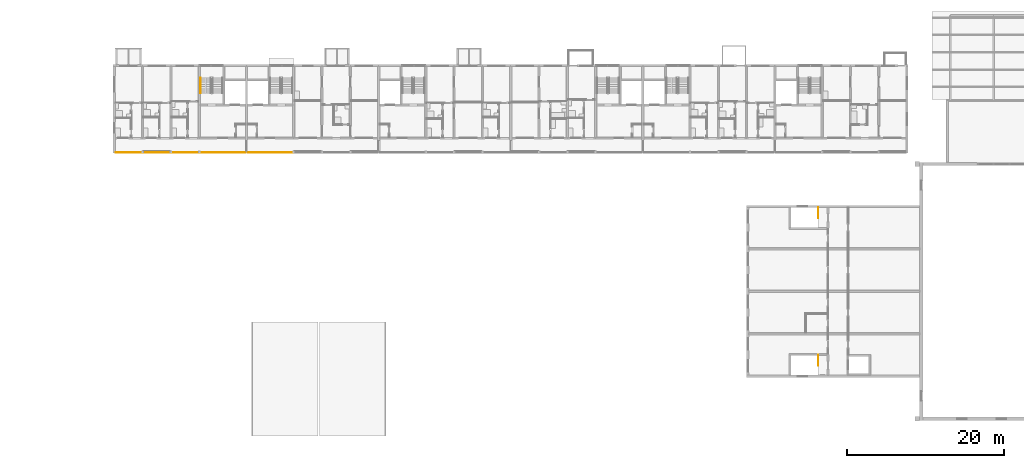
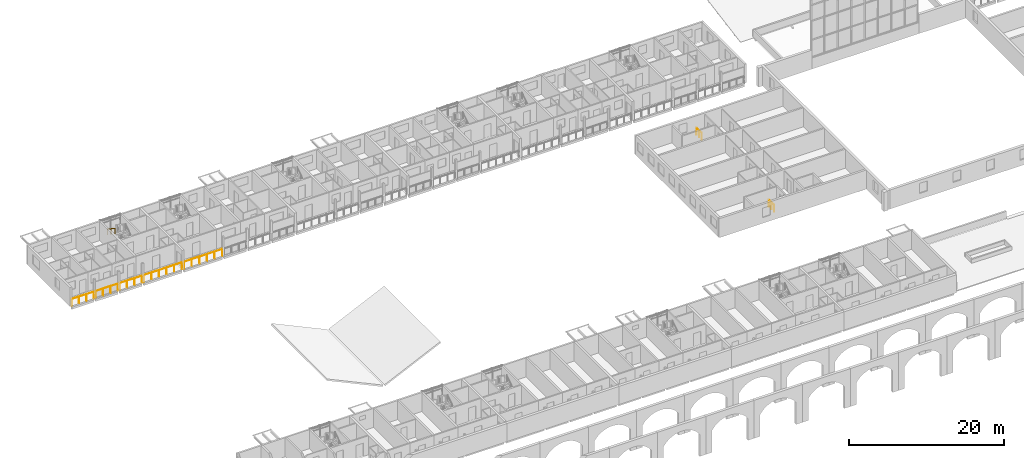
# One storey, part 106 of 122: 8 railings.
"""IFC4 building model written with IfcOpenShell, lengths in metres."""

from ifc_helpers import new_model, si_unit, direction, frame, origin, origin_2d, place, context, subcontext, project, spatial, circle, extrude, material, type_object, element, save


model = new_model("IFC4")

# Units and contexts
model_context = context("Model", 3, precision=1e-05, world=origin(), true_north=direction((0.0, 1.0)))
body_context = subcontext(model_context, "Body", "Model", "MODEL_VIEW")
ifc_project = project(units=[si_unit("LENGTHUNIT", "METRE"), si_unit("AREAUNIT", "SQUARE_METRE"), si_unit("VOLUMEUNIT", "CUBIC_METRE"), si_unit("PLANEANGLEUNIT", "RADIAN"), si_unit("MASSUNIT", "GRAM", prefix="KILO")], contexts=[model_context])

# Site, building, storey
site_placement = place(None, origin())
site = spatial("IfcSite", under=ifc_project, at=site_placement, CompositionType="ELEMENT")
building_placement = place(site_placement, origin())
building = spatial("IfcBuilding", under=site, at=building_placement, Name="Ridgestep Commons", CompositionType="ELEMENT")
storey_placement = place(building_placement, frame((0.0, 0.0, 3.0)))
storey = spatial("IfcBuildingStorey", under=building, at=storey_placement, Name="L01", CompositionType="ELEMENT", Elevation=3.0)

# Railings
ifc_material_1 = material(Name="Structural steel S355JR", Category="steel")
railing_type_1 = type_object("IfcRailingType", Name="Community stair guard 1100", PredefinedType="GUARDRAIL", material=ifc_material_1)
for number, where, name in (
    (1, (101.5, 40.300048828125, 0.0), "L01 AW-ST0 top well guard 1"),
    (2, (101.5, 59.050048828125, 0.0), "L01 AW-ST3 top well guard 1"),
):
    element("IfcRailing", number, at=place(storey_placement, frame(where)), inside=storey, type_object=railing_type_1, Name=name, PredefinedType="GUARDRAIL", context=body_context, shape_type="SweptSolid", body=[
        extrude(circle(Radius=0.02392578125, at=origin_2d()), frame((0.0, 0.0, 1.076171875), z_axis=(0.0, -1.0, 0.0), x_axis=(1.0, 0.0, 0.0)), (0.0, 0.0, 1.0), 1.35009765625),
        extrude(circle(Radius=0.02099609375, at=origin_2d()), origin(), (0.0, 0.0, 1.0), 1.052001953125),
        extrude(circle(Radius=0.02099609375, at=origin_2d()), frame((0.0, -0.675048828125, 0.0)), (0.0, 0.0, 1.0), 1.052001953125),
        extrude(circle(Radius=0.02099609375, at=origin_2d()), frame((0.0, -1.35009765625, 0.0)), (0.0, 0.0, 1.0), 1.052001953125),
    ])
ifc_material_2 = material(Name="Structural steel S355JR", Category="steel")
railing_type_2 = type_object("IfcRailingType", Name="Guard 1100", PredefinedType="GUARDRAIL", material=ifc_material_2)
railing_1_placement = place(storey_placement, frame((12.1708984375, 66.050048828125, 0.0)))
element("IfcRailing", 3, at=railing_1_placement, inside=storey, type_object=railing_type_2, Name="Gallery guard B 01.1", PredefinedType="GUARDRAIL", context=body_context, shape_type="SweptSolid", body=[
    extrude(circle(Radius=0.02392578125, at=origin_2d()), frame((0.0, 0.0, 1.076171875), z_axis=(1.0, 0.0, 0.0), x_axis=(0.0, 1.0, 0.0)), (0.0, 0.0, 1.0), 3.283203125),
    extrude(circle(Radius=0.02099609375, at=origin_2d()), origin(), (0.0, 0.0, 1.0), 1.052001953125),
    extrude(circle(Radius=0.02099609375, at=origin_2d()), frame((1.094482421875, 0.0, 0.0)), (0.0, 0.0, 1.0), 1.052001953125),
    extrude(circle(Radius=0.02099609375, at=origin_2d()), frame((2.188720703125, 0.0, 0.0)), (0.0, 0.0, 1.0), 1.052001953125),
    extrude(circle(Radius=0.02099609375, at=origin_2d()), frame((3.283203125, 0.0, 0.0)), (0.0, 0.0, 1.0), 1.052001953125),
])
railing_2_placement = place(storey_placement, frame((15.74609375, 66.050048828125, 0.0)))
element("IfcRailing", 4, at=railing_2_placement, inside=storey, type_object=railing_type_2, Name="Gallery guard B 01.2", PredefinedType="GUARDRAIL", context=body_context, shape_type="SweptSolid", body=[
    extrude(circle(Radius=0.02392578125, at=origin_2d()), frame((0.0, 0.0, 1.076171875), z_axis=(1.0, 0.0, 0.0), x_axis=(0.0, 1.0, 0.0)), (0.0, 0.0, 1.0), 3.307861328125),
    extrude(circle(Radius=0.02099609375, at=origin_2d()), origin(), (0.0, 0.0, 1.0), 1.052001953125),
    extrude(circle(Radius=0.02099609375, at=origin_2d()), frame((1.1025390625, 0.0, 0.0)), (0.0, 0.0, 1.0), 1.052001953125),
    extrude(circle(Radius=0.02099609375, at=origin_2d()), frame((2.205322265625, 0.0, 0.0)), (0.0, 0.0, 1.0), 1.052001953125),
    extrude(circle(Radius=0.02099609375, at=origin_2d()), frame((3.307861328125, 0.0, 0.0)), (0.0, 0.0, 1.0), 1.052001953125),
])
railing_3_placement = place(storey_placement, frame((19.345947265625, 66.050048828125, 0.0)))
element("IfcRailing", 5, at=railing_3_placement, inside=storey, type_object=railing_type_2, Name="Gallery guard B 01.3", PredefinedType="GUARDRAIL", context=body_context, shape_type="SweptSolid", body=[
    extrude(circle(Radius=0.02392578125, at=origin_2d()), frame((0.0, 0.0, 1.076171875), z_axis=(1.0, 0.0, 0.0), x_axis=(0.0, 1.0, 0.0)), (0.0, 0.0, 1.0), 3.30810546875),
    extrude(circle(Radius=0.02099609375, at=origin_2d()), origin(), (0.0, 0.0, 1.0), 1.052001953125),
    extrude(circle(Radius=0.02099609375, at=origin_2d()), frame((1.102783203125, 0.0, 0.0)), (0.0, 0.0, 1.0), 1.052001953125),
    extrude(circle(Radius=0.02099609375, at=origin_2d()), frame((2.205322265625, 0.0, 0.0)), (0.0, 0.0, 1.0), 1.052001953125),
    extrude(circle(Radius=0.02099609375, at=origin_2d()), frame((3.30810546875, 0.0, 0.0)), (0.0, 0.0, 1.0), 1.052001953125),
])
railing_4_placement = place(storey_placement, frame((22.946044921875, 66.050048828125, 0.0)))
element("IfcRailing", 6, at=railing_4_placement, inside=storey, type_object=railing_type_2, Name="Gallery guard B 01.4", PredefinedType="GUARDRAIL", context=body_context, shape_type="SweptSolid", body=[
    extrude(circle(Radius=0.02392578125, at=origin_2d()), frame((0.0, 0.0, 1.076171875), z_axis=(1.0, 0.0, 0.0), x_axis=(0.0, 1.0, 0.0)), (0.0, 0.0, 1.0), 5.682861328125),
    extrude(circle(Radius=0.02099609375, at=origin_2d()), origin(), (0.0, 0.0, 1.0), 1.052001953125),
    extrude(circle(Radius=0.02099609375, at=origin_2d()), frame((1.136474609375, 0.0, 0.0)), (0.0, 0.0, 1.0), 1.052001953125),
    extrude(circle(Radius=0.02099609375, at=origin_2d()), frame((2.273193359375, 0.0, 0.0)), (0.0, 0.0, 1.0), 1.052001953125),
    extrude(circle(Radius=0.02099609375, at=origin_2d()), frame((3.40966796875, 0.0, 0.0)), (0.0, 0.0, 1.0), 1.052001953125),
    extrude(circle(Radius=0.02099609375, at=origin_2d()), frame((4.54638671875, 0.0, 0.0)), (0.0, 0.0, 1.0), 1.052001953125),
    extrude(circle(Radius=0.02099609375, at=origin_2d()), frame((5.682861328125, 0.0, 0.0)), (0.0, 0.0, 1.0), 1.052001953125),
])
railing_5_placement = place(storey_placement, frame((28.970947265625, 66.050048828125, 0.0)))
element("IfcRailing", 7, at=railing_5_placement, inside=storey, type_object=railing_type_2, Name="Gallery guard B 01.5", PredefinedType="GUARDRAIL", context=body_context, shape_type="SweptSolid", body=[
    extrude(circle(Radius=0.02392578125, at=origin_2d()), frame((0.0, 0.0, 1.076171875), z_axis=(1.0, 0.0, 0.0), x_axis=(0.0, 1.0, 0.0)), (0.0, 0.0, 1.0), 5.68310546875),
    extrude(circle(Radius=0.02099609375, at=origin_2d()), origin(), (0.0, 0.0, 1.0), 1.052001953125),
    extrude(circle(Radius=0.02099609375, at=origin_2d()), frame((1.13671875, 0.0, 0.0)), (0.0, 0.0, 1.0), 1.052001953125),
    extrude(circle(Radius=0.02099609375, at=origin_2d()), frame((2.273193359375, 0.0, 0.0)), (0.0, 0.0, 1.0), 1.052001953125),
    extrude(circle(Radius=0.02099609375, at=origin_2d()), frame((3.409912109375, 0.0, 0.0)), (0.0, 0.0, 1.0), 1.052001953125),
    extrude(circle(Radius=0.02099609375, at=origin_2d()), frame((4.54638671875, 0.0, 0.0)), (0.0, 0.0, 1.0), 1.052001953125),
    extrude(circle(Radius=0.02099609375, at=origin_2d()), frame((5.68310546875, 0.0, 0.0)), (0.0, 0.0, 1.0), 1.052001953125),
])
ifc_material_3 = material(Name="Structural steel S355JR", Category="steel")
railing_type_3 = type_object("IfcRailingType", Name="Stair handrail 900", PredefinedType="HANDRAIL", material=ifc_material_3)
railing_6_placement = place(storey_placement, frame((22.97509765625, 75.56005859375, 1.6875)))
element("IfcRailing", 8, at=railing_6_placement, inside=storey, type_object=railing_type_3, Name="L01 B1C stair handrail 2", PredefinedType="HANDRAIL", context=body_context, shape_type="SweptSolid", body=[
    extrude(circle(Radius=0.02392578125, at=origin_2d()), frame((0.0, 0.0, 0.8759765625), z_axis=(0.0, -0.830902050051, 0.556418712142), x_axis=(1.0, 0.0, 0.0)), (0.0, 0.0, 1.0), 2.35888671875),
    extrude(circle(Radius=0.02099609375, at=origin_2d()), origin(), (0.0, 0.0, 1.0), 0.851806640625),
    extrude(circle(Radius=0.02099609375, at=origin_2d()), frame((0.0, -0.97998046875, 0.65625)), (0.0, 0.0, 1.0), 0.851806640625),
    extrude(circle(Radius=0.02099609375, at=origin_2d()), frame((0.0, -1.9599609375, 1.3125)), (0.0, 0.0, 1.0), 0.851806640625),
])

save(model, "model.ifc")
